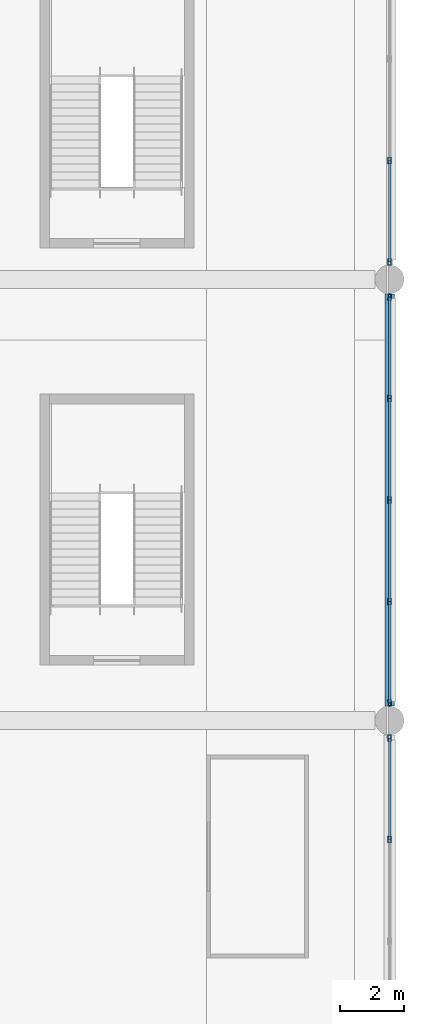
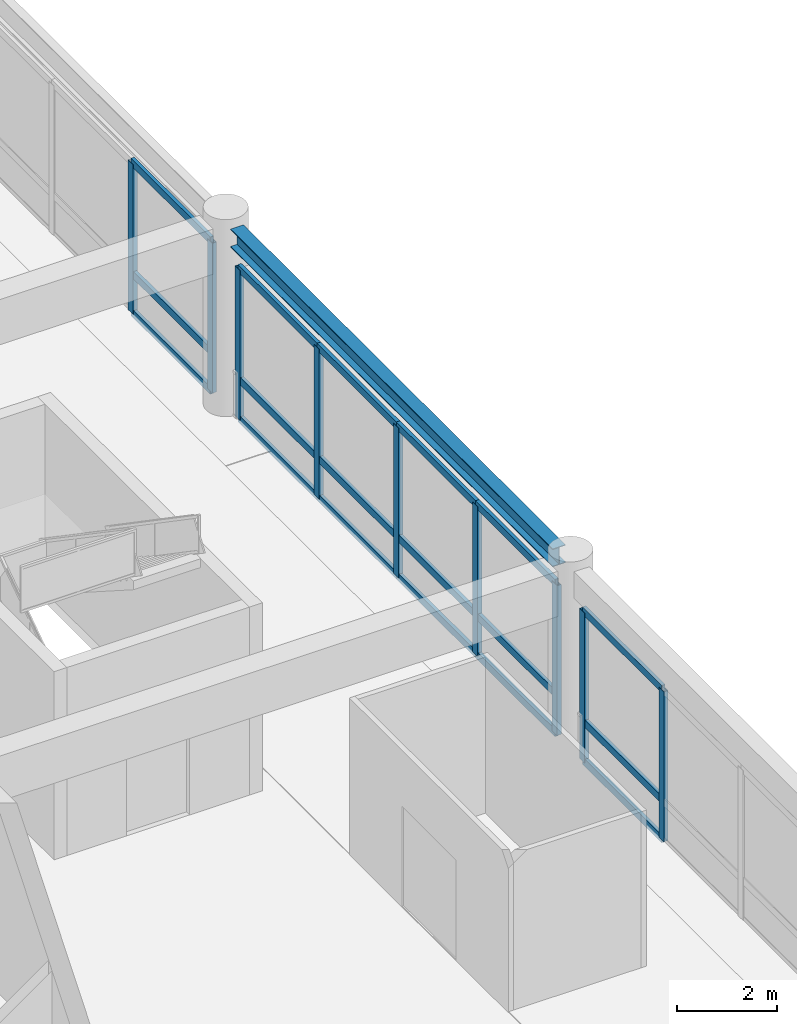
# One storey, part 37 of 91: 27 members, 1 beam, 3 elements without a shape of their own.
"""IFC4 building model written with IfcOpenShell, lengths in metres."""

from ifc_helpers import new_model, si_unit, direction, frame, origin, origin_2d, place, context, subcontext, project, spatial, hollow_rectangle, i_section, extrude, material, material_profile, profile_set, type_object, element, aggregate, save


model = new_model("IFC4")

# Units and contexts
model_context = context("Model", 3, precision=1e-05, world=origin(), true_north=direction((0.0, 1.0)))
body_context = subcontext(model_context, "Body", "Model", "MODEL_VIEW")
ifc_project = project(units=[si_unit("LENGTHUNIT", "METRE"), si_unit("AREAUNIT", "SQUARE_METRE"), si_unit("VOLUMEUNIT", "CUBIC_METRE"), si_unit("PLANEANGLEUNIT", "RADIAN"), si_unit("MASSUNIT", "GRAM", prefix="KILO")], contexts=[model_context])

# Site, building, storey
site_placement = place(None, origin())
site = spatial("IfcSite", under=ifc_project, at=site_placement, CompositionType="ELEMENT")
building_placement = place(site_placement, origin())
building = spatial("IfcBuilding", under=site, at=building_placement, Name="Linyun Crest Stadium", CompositionType="ELEMENT")
storey_placement = place(building_placement, frame((0.0, 0.0, 11.39990234375)))
storey = spatial("IfcBuildingStorey", under=building, at=storey_placement, Name="L03", CompositionType="ELEMENT", Elevation=11.39990234375)

# Beam
ifc_material_1 = material(Name="Steel Q355C", Category="steel")
ifc_material_profile_1 = material_profile(ifc_material_1, i_section(OverallWidth=0.300048828125, OverallDepth=0.43994140625, WebThickness=0.010986328125, FlangeThickness=0.01806640625, at=origin_2d()), Name="HM 440x300")
ifc_profile_set_1 = profile_set([ifc_material_profile_1], Name="Steel Q355C")
beam_type = type_object("IfcBeamType", Name="B07", PredefinedType="BEAM", material=ifc_profile_set_1)
beam_placement = place(storey_placement, frame((98.0, -24.925048828125, 4.360107421875), z_axis=(0.0, 1.0, 0.0), x_axis=(-1.0, 0.0, 0.0)))
element("IfcBeam", 1, at=beam_placement, inside=storey, type_object=beam_type, Name="Frame beam B07 L03 673", PredefinedType="BEAM", context=body_context, shape_type="SweptSolid", body=[
    extrude(i_section(OverallWidth=0.300048828125, OverallDepth=0.43994140625, WebThickness=0.010986328125, FlangeThickness=0.01806640625, at=origin_2d()), origin(), (0.0, 0.0, 1.0), 12.85009765625),
])

# Curtain wall, members
ifc_material_2 = material(Name="Verdigris steel and low-E curtain wall assembly", Category="steel")
curtain_wall_type = type_object("IfcCurtainWallType", Name="MCW02", PredefinedType="NOTDEFINED", material=ifc_material_2)
curtain_wall_1_placement = place(storey_placement, origin())
curtain_wall_1 = element("IfcCurtainWall", 2, at=curtain_wall_1_placement, inside=storey, type_object=curtain_wall_type, Name="CWR-079", PredefinedType="NOTDEFINED")
ifc_material_3 = material(Name="Verdigris painted steel Q355C mullion", Category="steel")
ifc_material_profile_2 = material_profile(ifc_material_3, hollow_rectangle(XDim=0.10009765625, YDim=0.199951171875, WallThickness=0.008056640625, at=origin_2d()), Name="RHS 200x100x8")
ifc_profile_set_2 = profile_set([ifc_material_profile_2], Name="Verdigris painted steel Q355C mullion")
member_type_1 = type_object("IfcMemberType", Name="ML03", PredefinedType="MULLION", material=ifc_profile_set_2)
member_1_placement = place(storey_placement, frame((98.0, -29.087890625, 0.0), z_axis=(0.0, 0.0, 1.0), x_axis=(-1.0, 0.0, 0.0)))
member_1 = element("IfcMember", 3, at=member_1_placement, type_object=member_type_1, Name="CWR-079 mullion 4", PredefinedType="MULLION", context=body_context, shape_type="SweptSolid", body=[
    extrude(hollow_rectangle(XDim=0.10009765625, YDim=0.199951171875, WallThickness=0.008056640625, at=origin_2d()), origin(), (0.0, 0.0, 1.0), 3.650146484375),
])
member_2_placement = place(storey_placement, frame((98.0, -25.925048828125, 0.0), z_axis=(0.0, 0.0, 1.0), x_axis=(-1.0, 0.0, 0.0)))
member_2 = element("IfcMember", 4, at=member_2_placement, type_object=member_type_1, Name="CWR-079 mullion 5", PredefinedType="MULLION", context=body_context, shape_type="SweptSolid", body=[
    extrude(hollow_rectangle(XDim=0.10009765625, YDim=0.199951171875, WallThickness=0.008056640625, at=origin_2d()), origin(), (0.0, 0.0, 1.0), 3.650146484375),
])

curtain_wall_2_placement = place(storey_placement, origin())
curtain_wall_2 = element("IfcCurtainWall", 5, at=curtain_wall_2_placement, inside=storey, type_object=curtain_wall_type, Name="CWR-088", PredefinedType="NOTDEFINED")
member_3_placement = place(storey_placement, frame((98.0, -24.824951171875, 0.0), z_axis=(0.0, 0.0, 1.0), x_axis=(-1.0, 0.0, 0.0)))
member_3 = element("IfcMember", 6, at=member_3_placement, type_object=member_type_1, Name="CWR-088 mullion 1", PredefinedType="MULLION", context=body_context, shape_type="SweptSolid", body=[
    extrude(hollow_rectangle(XDim=0.10009765625, YDim=0.199951171875, WallThickness=0.008056640625, at=origin_2d()), origin(), (0.0, 0.0, 1.0), 3.650146484375),
])
member_4_placement = place(storey_placement, frame((98.0, -21.662109375, 0.0), z_axis=(0.0, 0.0, 1.0), x_axis=(-1.0, 0.0, 0.0)))
member_4 = element("IfcMember", 7, at=member_4_placement, type_object=member_type_1, Name="CWR-088 mullion 2", PredefinedType="MULLION", context=body_context, shape_type="SweptSolid", body=[
    extrude(hollow_rectangle(XDim=0.10009765625, YDim=0.199951171875, WallThickness=0.008056640625, at=origin_2d()), origin(), (0.0, 0.0, 1.0), 3.650146484375),
])
member_5_placement = place(storey_placement, frame((98.0, -18.5, 0.0), z_axis=(0.0, 0.0, 1.0), x_axis=(-1.0, 0.0, 0.0)))
member_5 = element("IfcMember", 8, at=member_5_placement, type_object=member_type_1, Name="CWR-088 mullion 3", PredefinedType="MULLION", context=body_context, shape_type="SweptSolid", body=[
    extrude(hollow_rectangle(XDim=0.10009765625, YDim=0.199951171875, WallThickness=0.008056640625, at=origin_2d()), origin(), (0.0, 0.0, 1.0), 3.650146484375),
])
member_6_placement = place(storey_placement, frame((98.0, -15.337890625, 0.0), z_axis=(0.0, 0.0, 1.0), x_axis=(-1.0, 0.0, 0.0)))
member_6 = element("IfcMember", 9, at=member_6_placement, type_object=member_type_1, Name="CWR-088 mullion 4", PredefinedType="MULLION", context=body_context, shape_type="SweptSolid", body=[
    extrude(hollow_rectangle(XDim=0.10009765625, YDim=0.199951171875, WallThickness=0.008056640625, at=origin_2d()), origin(), (0.0, 0.0, 1.0), 3.650146484375),
])
member_7_placement = place(storey_placement, frame((98.0, -12.175048828125, 0.0), z_axis=(0.0, 0.0, 1.0), x_axis=(-1.0, 0.0, 0.0)))
member_7 = element("IfcMember", 10, at=member_7_placement, type_object=member_type_1, Name="CWR-088 mullion 5", PredefinedType="MULLION", context=body_context, shape_type="SweptSolid", body=[
    extrude(hollow_rectangle(XDim=0.10009765625, YDim=0.199951171875, WallThickness=0.008056640625, at=origin_2d()), origin(), (0.0, 0.0, 1.0), 3.650146484375),
])

curtain_wall_3_placement = place(storey_placement, origin())
curtain_wall_3 = element("IfcCurtainWall", 11, at=curtain_wall_3_placement, inside=storey, type_object=curtain_wall_type, Name="CWR-097", PredefinedType="NOTDEFINED")
member_8_placement = place(storey_placement, frame((98.0, -11.074951171875, 0.0), z_axis=(0.0, 0.0, 1.0), x_axis=(-1.0, 0.0, 0.0)))
member_8 = element("IfcMember", 12, at=member_8_placement, type_object=member_type_1, Name="CWR-097 mullion 1", PredefinedType="MULLION", context=body_context, shape_type="SweptSolid", body=[
    extrude(hollow_rectangle(XDim=0.10009765625, YDim=0.199951171875, WallThickness=0.008056640625, at=origin_2d()), origin(), (0.0, 0.0, 1.0), 3.650146484375),
])
member_9_placement = place(storey_placement, frame((98.0, -7.912109375, 0.0), z_axis=(0.0, 0.0, 1.0), x_axis=(-1.0, 0.0, 0.0)))
member_9 = element("IfcMember", 13, at=member_9_placement, type_object=member_type_1, Name="CWR-097 mullion 2", PredefinedType="MULLION", context=body_context, shape_type="SweptSolid", body=[
    extrude(hollow_rectangle(XDim=0.10009765625, YDim=0.199951171875, WallThickness=0.008056640625, at=origin_2d()), origin(), (0.0, 0.0, 1.0), 3.650146484375),
])

# Member
ifc_material_4 = material(Name="Verdigris painted steel Q355B transom", Category="steel")
ifc_material_profile_3 = material_profile(ifc_material_4, hollow_rectangle(XDim=0.080078125, YDim=0.179931640625, WallThickness=0.006103515625, at=origin_2d()), Name="RHS 180x80x6")
ifc_profile_set_3 = profile_set([ifc_material_profile_3], Name="Verdigris painted steel Q355B transom")
member_type_2 = type_object("IfcMemberType", Name="TR02", PredefinedType="USERDEFINED", material=ifc_profile_set_3)
member_10_placement = place(storey_placement, frame((98.0, -29.087890625, 0.0), z_axis=(0.0, 1.0, 0.0), x_axis=(-1.0, 0.0, 0.0)))
member_10 = element("IfcMember", 14, at=member_10_placement, type_object=member_type_2, Name="CWR-079 transom 4.1", ObjectType="TRANSOM", PredefinedType="USERDEFINED", context=body_context, shape_type="SweptSolid", body=[
    extrude(hollow_rectangle(XDim=0.080078125, YDim=0.179931640625, WallThickness=0.006103515625, at=origin_2d()), origin(), (0.0, 0.0, 1.0), 3.162841796875),
])

member_11_placement = place(storey_placement, frame((98.0, -29.087890625, 0.9501953125), z_axis=(0.0, 1.0, 0.0), x_axis=(-1.0, 0.0, 0.0)))
member_11 = element("IfcMember", 15, at=member_11_placement, type_object=member_type_2, Name="CWR-079 transom 4.2", ObjectType="TRANSOM", PredefinedType="USERDEFINED", context=body_context, shape_type="SweptSolid", body=[
    extrude(hollow_rectangle(XDim=0.080078125, YDim=0.179931640625, WallThickness=0.006103515625, at=origin_2d()), origin(), (0.0, 0.0, 1.0), 3.162841796875),
])

member_12_placement = place(storey_placement, frame((98.0, -29.087890625, 3.650146484375), z_axis=(0.0, 1.0, 0.0), x_axis=(-1.0, 0.0, 0.0)))
member_12 = element("IfcMember", 16, at=member_12_placement, type_object=member_type_2, Name="CWR-079 transom 4.3", ObjectType="TRANSOM", PredefinedType="USERDEFINED", context=body_context, shape_type="SweptSolid", body=[
    extrude(hollow_rectangle(XDim=0.080078125, YDim=0.179931640625, WallThickness=0.006103515625, at=origin_2d()), origin(), (0.0, 0.0, 1.0), 3.162841796875),
])

aggregate(curtain_wall_1, [member_1, member_2, member_10, member_11, member_12])

member_13_placement = place(storey_placement, frame((98.0, -24.824951171875, 0.0), z_axis=(0.0, 1.0, 0.0), x_axis=(-1.0, 0.0, 0.0)))
member_13 = element("IfcMember", 17, at=member_13_placement, type_object=member_type_2, Name="CWR-088 transom 1.1", ObjectType="TRANSOM", PredefinedType="USERDEFINED", context=body_context, shape_type="SweptSolid", body=[
    extrude(hollow_rectangle(XDim=0.080078125, YDim=0.179931640625, WallThickness=0.006103515625, at=origin_2d()), origin(), (0.0, 0.0, 1.0), 3.162841796875),
])

member_14_placement = place(storey_placement, frame((98.0, -24.824951171875, 0.9501953125), z_axis=(0.0, 1.0, 0.0), x_axis=(-1.0, 0.0, 0.0)))
member_14 = element("IfcMember", 18, at=member_14_placement, type_object=member_type_2, Name="CWR-088 transom 1.2", ObjectType="TRANSOM", PredefinedType="USERDEFINED", context=body_context, shape_type="SweptSolid", body=[
    extrude(hollow_rectangle(XDim=0.080078125, YDim=0.179931640625, WallThickness=0.006103515625, at=origin_2d()), origin(), (0.0, 0.0, 1.0), 3.162841796875),
])

member_15_placement = place(storey_placement, frame((98.0, -24.824951171875, 3.650146484375), z_axis=(0.0, 1.0, 0.0), x_axis=(-1.0, 0.0, 0.0)))
member_15 = element("IfcMember", 19, at=member_15_placement, type_object=member_type_2, Name="CWR-088 transom 1.3", ObjectType="TRANSOM", PredefinedType="USERDEFINED", context=body_context, shape_type="SweptSolid", body=[
    extrude(hollow_rectangle(XDim=0.080078125, YDim=0.179931640625, WallThickness=0.006103515625, at=origin_2d()), origin(), (0.0, 0.0, 1.0), 3.162841796875),
])

member_16_placement = place(storey_placement, frame((98.0, -21.662109375, 0.0), z_axis=(0.0, 1.0, 0.0), x_axis=(-1.0, 0.0, 0.0)))
member_16 = element("IfcMember", 20, at=member_16_placement, type_object=member_type_2, Name="CWR-088 transom 2.1", ObjectType="TRANSOM", PredefinedType="USERDEFINED", context=body_context, shape_type="SweptSolid", body=[
    extrude(hollow_rectangle(XDim=0.080078125, YDim=0.179931640625, WallThickness=0.006103515625, at=origin_2d()), origin(), (0.0, 0.0, 1.0), 3.162109375),
])

member_17_placement = place(storey_placement, frame((98.0, -21.662109375, 0.9501953125), z_axis=(0.0, 1.0, 0.0), x_axis=(-1.0, 0.0, 0.0)))
member_17 = element("IfcMember", 21, at=member_17_placement, type_object=member_type_2, Name="CWR-088 transom 2.2", ObjectType="TRANSOM", PredefinedType="USERDEFINED", context=body_context, shape_type="SweptSolid", body=[
    extrude(hollow_rectangle(XDim=0.080078125, YDim=0.179931640625, WallThickness=0.006103515625, at=origin_2d()), origin(), (0.0, 0.0, 1.0), 3.162109375),
])

member_18_placement = place(storey_placement, frame((98.0, -21.662109375, 3.650146484375), z_axis=(0.0, 1.0, 0.0), x_axis=(-1.0, 0.0, 0.0)))
member_18 = element("IfcMember", 22, at=member_18_placement, type_object=member_type_2, Name="CWR-088 transom 2.3", ObjectType="TRANSOM", PredefinedType="USERDEFINED", context=body_context, shape_type="SweptSolid", body=[
    extrude(hollow_rectangle(XDim=0.080078125, YDim=0.179931640625, WallThickness=0.006103515625, at=origin_2d()), origin(), (0.0, 0.0, 1.0), 3.162109375),
])

member_19_placement = place(storey_placement, frame((98.0, -18.5, 0.0), z_axis=(0.0, 1.0, 0.0), x_axis=(-1.0, 0.0, 0.0)))
member_19 = element("IfcMember", 23, at=member_19_placement, type_object=member_type_2, Name="CWR-088 transom 3.1", ObjectType="TRANSOM", PredefinedType="USERDEFINED", context=body_context, shape_type="SweptSolid", body=[
    extrude(hollow_rectangle(XDim=0.080078125, YDim=0.179931640625, WallThickness=0.006103515625, at=origin_2d()), origin(), (0.0, 0.0, 1.0), 3.162109375),
])

member_20_placement = place(storey_placement, frame((98.0, -18.5, 0.9501953125), z_axis=(0.0, 1.0, 0.0), x_axis=(-1.0, 0.0, 0.0)))
member_20 = element("IfcMember", 24, at=member_20_placement, type_object=member_type_2, Name="CWR-088 transom 3.2", ObjectType="TRANSOM", PredefinedType="USERDEFINED", context=body_context, shape_type="SweptSolid", body=[
    extrude(hollow_rectangle(XDim=0.080078125, YDim=0.179931640625, WallThickness=0.006103515625, at=origin_2d()), origin(), (0.0, 0.0, 1.0), 3.162109375),
])

member_21_placement = place(storey_placement, frame((98.0, -18.5, 3.650146484375), z_axis=(0.0, 1.0, 0.0), x_axis=(-1.0, 0.0, 0.0)))
member_21 = element("IfcMember", 25, at=member_21_placement, type_object=member_type_2, Name="CWR-088 transom 3.3", ObjectType="TRANSOM", PredefinedType="USERDEFINED", context=body_context, shape_type="SweptSolid", body=[
    extrude(hollow_rectangle(XDim=0.080078125, YDim=0.179931640625, WallThickness=0.006103515625, at=origin_2d()), origin(), (0.0, 0.0, 1.0), 3.162109375),
])

member_22_placement = place(storey_placement, frame((98.0, -15.337890625, 0.0), z_axis=(0.0, 1.0, 0.0), x_axis=(-1.0, 0.0, 0.0)))
member_22 = element("IfcMember", 26, at=member_22_placement, type_object=member_type_2, Name="CWR-088 transom 4.1", ObjectType="TRANSOM", PredefinedType="USERDEFINED", context=body_context, shape_type="SweptSolid", body=[
    extrude(hollow_rectangle(XDim=0.080078125, YDim=0.179931640625, WallThickness=0.006103515625, at=origin_2d()), origin(), (0.0, 0.0, 1.0), 3.162841796875),
])

member_23_placement = place(storey_placement, frame((98.0, -15.337890625, 0.9501953125), z_axis=(0.0, 1.0, 0.0), x_axis=(-1.0, 0.0, 0.0)))
member_23 = element("IfcMember", 27, at=member_23_placement, type_object=member_type_2, Name="CWR-088 transom 4.2", ObjectType="TRANSOM", PredefinedType="USERDEFINED", context=body_context, shape_type="SweptSolid", body=[
    extrude(hollow_rectangle(XDim=0.080078125, YDim=0.179931640625, WallThickness=0.006103515625, at=origin_2d()), origin(), (0.0, 0.0, 1.0), 3.162841796875),
])

member_24_placement = place(storey_placement, frame((98.0, -15.337890625, 3.650146484375), z_axis=(0.0, 1.0, 0.0), x_axis=(-1.0, 0.0, 0.0)))
member_24 = element("IfcMember", 28, at=member_24_placement, type_object=member_type_2, Name="CWR-088 transom 4.3", ObjectType="TRANSOM", PredefinedType="USERDEFINED", context=body_context, shape_type="SweptSolid", body=[
    extrude(hollow_rectangle(XDim=0.080078125, YDim=0.179931640625, WallThickness=0.006103515625, at=origin_2d()), origin(), (0.0, 0.0, 1.0), 3.162841796875),
])

aggregate(curtain_wall_2, [member_3, member_4, member_5, member_6, member_7, member_13, member_14, member_15, member_16, member_17, member_18, member_19, member_20, member_21, member_22, member_23, member_24])

member_25_placement = place(storey_placement, frame((98.0, -11.074951171875, 0.0), z_axis=(0.0, 1.0, 0.0), x_axis=(-1.0, 0.0, 0.0)))
member_25 = element("IfcMember", 29, at=member_25_placement, type_object=member_type_2, Name="CWR-097 transom 1.1", ObjectType="TRANSOM", PredefinedType="USERDEFINED", context=body_context, shape_type="SweptSolid", body=[
    extrude(hollow_rectangle(XDim=0.080078125, YDim=0.179931640625, WallThickness=0.006103515625, at=origin_2d()), origin(), (0.0, 0.0, 1.0), 3.162841796875),
])

member_26_placement = place(storey_placement, frame((98.0, -11.074951171875, 0.9501953125), z_axis=(0.0, 1.0, 0.0), x_axis=(-1.0, 0.0, 0.0)))
member_26 = element("IfcMember", 30, at=member_26_placement, type_object=member_type_2, Name="CWR-097 transom 1.2", ObjectType="TRANSOM", PredefinedType="USERDEFINED", context=body_context, shape_type="SweptSolid", body=[
    extrude(hollow_rectangle(XDim=0.080078125, YDim=0.179931640625, WallThickness=0.006103515625, at=origin_2d()), origin(), (0.0, 0.0, 1.0), 3.162841796875),
])

member_27_placement = place(storey_placement, frame((98.0, -11.074951171875, 3.650146484375), z_axis=(0.0, 1.0, 0.0), x_axis=(-1.0, 0.0, 0.0)))
member_27 = element("IfcMember", 31, at=member_27_placement, type_object=member_type_2, Name="CWR-097 transom 1.3", ObjectType="TRANSOM", PredefinedType="USERDEFINED", context=body_context, shape_type="SweptSolid", body=[
    extrude(hollow_rectangle(XDim=0.080078125, YDim=0.179931640625, WallThickness=0.006103515625, at=origin_2d()), origin(), (0.0, 0.0, 1.0), 3.162841796875),
])

aggregate(curtain_wall_3, [member_8, member_9, member_25, member_26, member_27])

save(model, "model.ifc")
